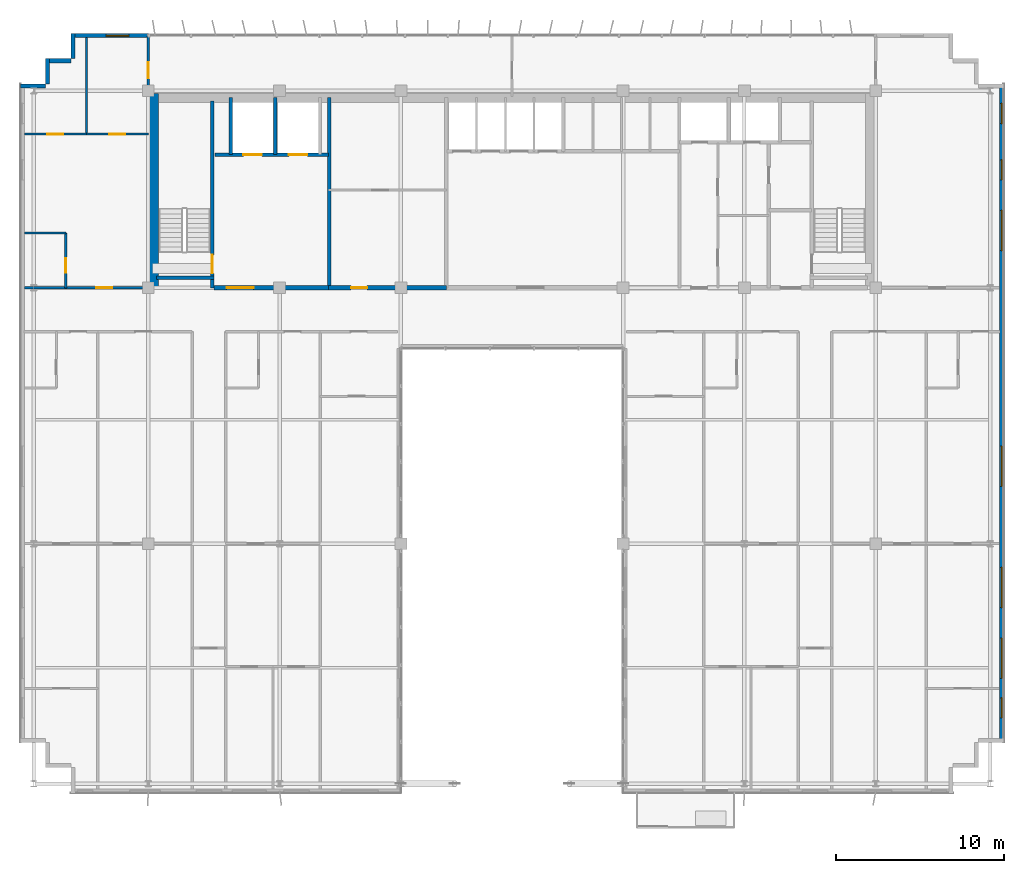
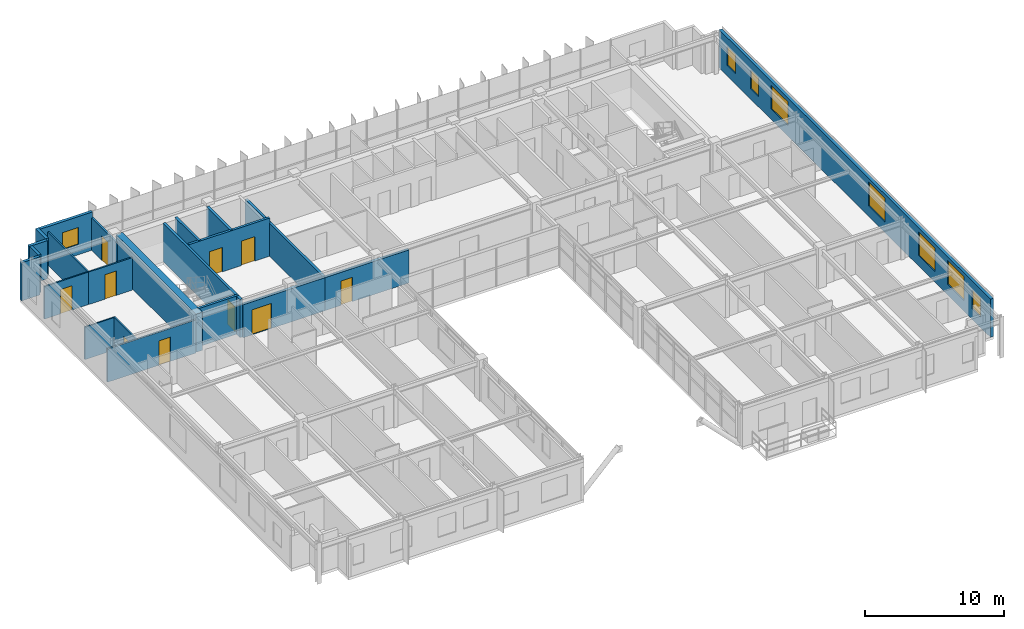
# One storey, part 30 of 34: 22 walls, 10 doors, 8 windows, 18 openings.
"""IFC4 building model written with IfcOpenShell, lengths in metres."""

from ifc_helpers import new_model, si_unit, direction, frame, frame_2d, origin, place, context, subcontext, project, spatial, rectangle, extrude, source, transform, mapped, material, layer, layer_set, type_object, element, fill, save


model = new_model("IFC4")

# Units and contexts
model_context = context("Model", 3, precision=1e-05, world=origin(), true_north=direction((0.0, 1.0)))
body_context = subcontext(model_context, "Body", "Model", "MODEL_VIEW")
ifc_project = project(units=[si_unit("LENGTHUNIT", "METRE"), si_unit("AREAUNIT", "SQUARE_METRE"), si_unit("VOLUMEUNIT", "CUBIC_METRE"), si_unit("PLANEANGLEUNIT", "RADIAN"), si_unit("MASSUNIT", "GRAM", prefix="KILO")], contexts=[model_context])

# Site, building, storey
site_placement = place(None, origin())
site = spatial("IfcSite", under=ifc_project, at=site_placement, CompositionType="ELEMENT")
building_placement = place(site_placement, origin())
building = spatial("IfcBuilding", under=site, at=building_placement, Name="Trelvane Seafront Commons", CompositionType="ELEMENT")
storey_placement = place(building_placement, frame((0.0, 0.0, 197.699951171875)))
storey = spatial("IfcBuildingStorey", under=building, at=storey_placement, Name="L51", CompositionType="ELEMENT", Elevation=197.699951171875)

# Wall, opening, window
ifc_material_1 = material(Name="Precast concrete C40/50", Category="concrete")
ifc_layer_1 = layer(ifc_material_1, 0.239990234375, Name="ARCH-WALL-EXT240")
ifc_layer_set_1 = layer_set([ifc_layer_1], Name="Precast concrete C40/50")
wall_type_1 = type_object("IfcWallType", Name="ARCH-WALL-EXT240", PredefinedType="SOLIDWALL", material=ifc_layer_set_1)
wall_1_placement = place(storey_placement, frame((11.10009765625, 48.3701171875, 0.0), z_axis=(0.0, 0.0, 1.0), x_axis=(1.0, 0.0, 0.0)))
wall_1 = element("IfcWall", 1, at=wall_1_placement, inside=storey, type_object=wall_type_1, Name="EW-L51-NW-1007", PredefinedType="SOLIDWALL", context=body_context, shape_type="SweptSolid", body=[
    extrude(rectangle(XDim=4.5, YDim=0.239990234375, at=frame_2d((2.25, 0.0))), origin(), (0.0, 0.0, 1.0), 3.360107421875),
])
opening_1_placement = place(wall_1_placement, frame((2.0029296875, 0.0, 0.89990234375)))
opening_1 = element("IfcOpeningElement", 2, at=opening_1_placement, cuts=wall_1, Name="Opening W09", PredefinedType="OPENING", context=body_context, shape_type="SweptSolid", body=[
    extrude(rectangle(XDim=1.35009765625, YDim=1.5, at=frame_2d((0.675048828125, 0.75))), frame((0.0, 0.1298828125, 0.0), z_axis=(0.0, -1.0, 0.0), x_axis=(1.0, 0.0, 0.0)), (0.0, 0.0, 1.0), 0.260009765625),
])
ifc_material_2 = material(Name="Low-E coastal double glazing", Category="glass")
window_type_1 = type_object("IfcWindowType", Name="ARCH-WIN-W09", PartitioningType="SINGLE_PANEL", PredefinedType="WINDOW", material=ifc_material_2)
shared_shape_1 = source(origin(), body_context, "Body", "SweptSolid", [
    extrude(rectangle(XDim=1.35009765625, YDim=1.5, at=frame_2d((0.675048828125, 0.75))), frame((0.0, 0.030029296875, 0.0), z_axis=(0.0, -1.0, 0.0), x_axis=(1.0, 0.0, 0.0)), (0.0, 0.0, 1.0), 0.06005859375),
])
window_1_placement = place(opening_1_placement, origin())
window_1 = element("IfcWindow", 3, at=window_1_placement, inside=storey, type_object=window_type_1, Name="WIN-L51-01201", OverallHeight=1.5, OverallWidth=1.35009765625, PartitioningType="SINGLE_PANEL", PredefinedType="WINDOW", context=body_context, shape_type="MappedRepresentation", body=[
    mapped(shared_shape_1, transform((0.0, 0.0, 0.0), x_axis=(1.0, 0.0, 0.0), y_axis=(0.0, 1.0, 0.0), z_axis=(0.0, 0.0, 1.0), scale=1.0)),
])
fill(opening_1, window_1)

# Walls
for number, where, z_axis, x_axis, name in (
    (4, (8.0, 45.3798828125, 0.0), (0.0, 0.0, 1.0), (1.0, 0.0, 0.0), "EW-L51-01013"),
    (5, (9.6201171875, 45.5, 0.0), (0.0, 0.0, 1.0), (0.0, 1.0, 0.0), "EW-L51-01014"),
    (6, (9.5, 46.8798828125, 0.0), (0.0, 0.0, 1.0), (1.0, 0.0, 0.0), "EW-L51-01015"),
    (7, (11.1201171875, 47.0, 0.0), (0.0, 0.0, 1.0), (0.0, 1.0, 0.0), "EW-L51-01016"),
):
    element("IfcWall", number, at=place(storey_placement, frame(where, z_axis=z_axis, x_axis=x_axis)), inside=storey, type_object=wall_type_1, Name=name, PredefinedType="SOLIDWALL", context=body_context, shape_type="SweptSolid", body=[
        extrude(rectangle(XDim=1.5, YDim=0.239990234375, at=frame_2d((0.75, 0.0))), origin(), (0.0, 0.0, 1.0), 3.360107421875),
    ])

# Wall, openings, windows
wall_2_placement = place(storey_placement, frame((66.280029296875, 45.5, 0.0), z_axis=(0.0, 0.0, 1.0), x_axis=(0.0, -1.0, 0.0)))
wall_2 = element("IfcWall", 8, at=wall_2_placement, inside=storey, type_object=wall_type_1, Name="EW-L51-01021", PredefinedType="SOLIDWALL", context=body_context, shape_type="SweptSolid", body=[
    extrude(rectangle(XDim=39.10009765625, YDim=0.239990234375, at=frame_2d((19.550048828125, 0.0))), origin(), (0.0, 0.0, 1.0), 3.360107421875),
])
opening_2_placement = place(wall_2_placement, frame((36.449951171875, 0.0, 0.919921875)))
opening_2 = element("IfcOpeningElement", 9, at=opening_2_placement, cuts=wall_2, Name="Opening W05", PredefinedType="OPENING", context=body_context, shape_type="SweptSolid", body=[
    extrude(rectangle(XDim=1.199951171875, YDim=1.64990234375, at=frame_2d((0.60009765625, 0.824951171875))), frame((0.0, 0.1298828125, 0.0), z_axis=(0.0, -1.0, 0.0), x_axis=(1.0, 0.0, 0.0)), (0.0, 0.0, 1.0), 0.260009765625),
])
opening_3_placement = place(wall_2_placement, frame((32.89990234375, 0.0, 0.919921875)))
opening_3 = element("IfcOpeningElement", 10, at=opening_3_placement, cuts=wall_2, Name="Opening W08", PredefinedType="OPENING", context=body_context, shape_type="SweptSolid", body=[
    extrude(rectangle(XDim=2.39990234375, YDim=2.10009765625, at=frame_2d((1.199951171875, 1.050048828125))), frame((0.0, 0.1298828125, 0.0), z_axis=(0.0, -1.0, 0.0), x_axis=(1.0, 0.0, 0.0)), (0.0, 0.0, 1.0), 0.260009765625),
])
opening_4_placement = place(wall_2_placement, frame((28.699951171875, 0.0, 0.919921875)))
opening_4 = element("IfcOpeningElement", 11, at=opening_4_placement, cuts=wall_2, Name="Opening W08", PredefinedType="OPENING", context=body_context, shape_type="SweptSolid", body=[
    extrude(rectangle(XDim=2.39990234375, YDim=2.10009765625, at=frame_2d((1.199951171875, 1.050048828125))), frame((0.0, 0.1298828125, 0.0), z_axis=(0.0, -1.0, 0.0), x_axis=(1.0, 0.0, 0.0)), (0.0, 0.0, 1.0), 0.260009765625),
])
opening_5_placement = place(wall_2_placement, frame((21.5, 0.0, 0.919921875)))
opening_5 = element("IfcOpeningElement", 12, at=opening_5_placement, cuts=wall_2, Name="Opening W08", PredefinedType="OPENING", context=body_context, shape_type="SweptSolid", body=[
    extrude(rectangle(XDim=2.39990234375, YDim=2.10009765625, at=frame_2d((1.199951171875, 1.050048828125))), frame((0.0, 0.1298828125, 0.0), z_axis=(0.0, -1.0, 0.0), x_axis=(1.0, 0.0, 0.0)), (0.0, 0.0, 1.0), 0.260009765625),
])
opening_6_placement = place(wall_2_placement, frame((7.5, 0.0, 0.919921875)))
opening_6 = element("IfcOpeningElement", 13, at=opening_6_placement, cuts=wall_2, Name="Opening W08", PredefinedType="OPENING", context=body_context, shape_type="SweptSolid", body=[
    extrude(rectangle(XDim=2.39990234375, YDim=2.10009765625, at=frame_2d((1.199951171875, 1.050048828125))), frame((0.0, 0.1298828125, 0.0), z_axis=(0.0, -1.0, 0.0), x_axis=(1.0, 0.0, 0.0)), (0.0, 0.0, 1.0), 0.260009765625),
])
opening_7_placement = place(wall_2_placement, frame((4.5, 0.0, 0.919921875)))
opening_7 = element("IfcOpeningElement", 14, at=opening_7_placement, cuts=wall_2, Name="Opening W05", PredefinedType="OPENING", context=body_context, shape_type="SweptSolid", body=[
    extrude(rectangle(XDim=1.199951171875, YDim=1.64990234375, at=frame_2d((0.60009765625, 0.824951171875))), frame((0.0, 0.1298828125, 0.0), z_axis=(0.0, -1.0, 0.0), x_axis=(1.0, 0.0, 0.0)), (0.0, 0.0, 1.0), 0.260009765625),
])
opening_8_placement = place(wall_2_placement, frame((1.14990234375, 0.0, 0.919921875)))
opening_8 = element("IfcOpeningElement", 15, at=opening_8_placement, cuts=wall_2, Name="Opening W05", PredefinedType="OPENING", context=body_context, shape_type="SweptSolid", body=[
    extrude(rectangle(XDim=1.199951171875, YDim=1.64990234375, at=frame_2d((0.60009765625, 0.824951171875))), frame((0.0, 0.1298828125, 0.0), z_axis=(0.0, -1.0, 0.0), x_axis=(1.0, 0.0, 0.0)), (0.0, 0.0, 1.0), 0.260009765625),
])
window_type_2 = type_object("IfcWindowType", Name="ARCH-WIN-W08", PartitioningType="SINGLE_PANEL", PredefinedType="WINDOW", material=ifc_material_2)
shared_shape_2 = source(origin(), body_context, "Body", "SweptSolid", [
    extrude(rectangle(XDim=2.39990234375, YDim=2.10009765625, at=frame_2d((1.199951171875, 1.050048828125))), frame((0.0, 0.030029296875, 0.0), z_axis=(0.0, -1.0, 0.0), x_axis=(1.0, 0.0, 0.0)), (0.0, 0.0, 1.0), 0.06005859375),
])
window_2_placement = place(opening_3_placement, origin())
window_2 = element("IfcWindow", 16, at=window_2_placement, inside=storey, type_object=window_type_2, Name="WIN-L51-EW-01210", OverallHeight=2.10009765625, OverallWidth=2.39990234375, PartitioningType="SINGLE_PANEL", PredefinedType="WINDOW", context=body_context, shape_type="MappedRepresentation", body=[
    mapped(shared_shape_2, transform((0.0, 0.0, 0.0), x_axis=(1.0, 0.0, 0.0), y_axis=(0.0, 1.0, 0.0), z_axis=(0.0, 0.0, 1.0), scale=1.0)),
])
fill(opening_3, window_2)
window_3_placement = place(opening_4_placement, origin())
window_3 = element("IfcWindow", 17, at=window_3_placement, inside=storey, type_object=window_type_2, Name="WIN-L51-EW-01211", OverallHeight=2.10009765625, OverallWidth=2.39990234375, PartitioningType="SINGLE_PANEL", PredefinedType="WINDOW", context=body_context, shape_type="MappedRepresentation", body=[
    mapped(shared_shape_2, transform((0.0, 0.0, 0.0), x_axis=(1.0, 0.0, 0.0), y_axis=(0.0, 1.0, 0.0), z_axis=(0.0, 0.0, 1.0), scale=1.0)),
])
fill(opening_4, window_3)
window_4_placement = place(opening_5_placement, origin())
window_4 = element("IfcWindow", 18, at=window_4_placement, inside=storey, type_object=window_type_2, Name="WIN-L51-EW-01212", OverallHeight=2.10009765625, OverallWidth=2.39990234375, PartitioningType="SINGLE_PANEL", PredefinedType="WINDOW", context=body_context, shape_type="MappedRepresentation", body=[
    mapped(shared_shape_2, transform((0.0, 0.0, 0.0), x_axis=(1.0, 0.0, 0.0), y_axis=(0.0, 1.0, 0.0), z_axis=(0.0, 0.0, 1.0), scale=1.0)),
])
fill(opening_5, window_4)
window_5_placement = place(opening_6_placement, origin())
window_5 = element("IfcWindow", 19, at=window_5_placement, inside=storey, type_object=window_type_2, Name="WIN-L51-EW-01213", OverallHeight=2.10009765625, OverallWidth=2.39990234375, PartitioningType="SINGLE_PANEL", PredefinedType="WINDOW", context=body_context, shape_type="MappedRepresentation", body=[
    mapped(shared_shape_2, transform((0.0, 0.0, 0.0), x_axis=(1.0, 0.0, 0.0), y_axis=(0.0, 1.0, 0.0), z_axis=(0.0, 0.0, 1.0), scale=1.0)),
])
fill(opening_6, window_5)
window_type_3 = type_object("IfcWindowType", Name="ARCH-WIN-W05", PartitioningType="SINGLE_PANEL", PredefinedType="WINDOW", material=ifc_material_2)
shared_shape_3 = source(origin(), body_context, "Body", "SweptSolid", [
    extrude(rectangle(XDim=1.199951171875, YDim=1.64990234375, at=frame_2d((0.60009765625, 0.824951171875))), frame((0.0, 0.030029296875, 0.0), z_axis=(0.0, -1.0, 0.0), x_axis=(1.0, 0.0, 0.0)), (0.0, 0.0, 1.0), 0.06005859375),
])
window_6_placement = place(opening_2_placement, origin())
window_6 = element("IfcWindow", 20, at=window_6_placement, inside=storey, type_object=window_type_3, Name="WIN-L51-EW-01209", OverallHeight=1.64990234375, OverallWidth=1.199951171875, PartitioningType="SINGLE_PANEL", PredefinedType="WINDOW", context=body_context, shape_type="MappedRepresentation", body=[
    mapped(shared_shape_3, transform((0.0, 0.0, 0.0), x_axis=(1.0, 0.0, 0.0), y_axis=(0.0, 1.0, 0.0), z_axis=(0.0, 0.0, 1.0), scale=1.0)),
])
fill(opening_2, window_6)
window_7_placement = place(opening_7_placement, origin())
window_7 = element("IfcWindow", 21, at=window_7_placement, inside=storey, type_object=window_type_3, Name="WIN-L51-EW-01214", OverallHeight=1.64990234375, OverallWidth=1.199951171875, PartitioningType="SINGLE_PANEL", PredefinedType="WINDOW", context=body_context, shape_type="MappedRepresentation", body=[
    mapped(shared_shape_3, transform((0.0, 0.0, 0.0), x_axis=(1.0, 0.0, 0.0), y_axis=(0.0, 1.0, 0.0), z_axis=(0.0, 0.0, 1.0), scale=1.0)),
])
fill(opening_7, window_7)
window_8_placement = place(opening_8_placement, origin())
window_8 = element("IfcWindow", 22, at=window_8_placement, inside=storey, type_object=window_type_3, Name="WIN-L51-EW-01215", OverallHeight=1.64990234375, OverallWidth=1.199951171875, PartitioningType="SINGLE_PANEL", PredefinedType="WINDOW", context=body_context, shape_type="MappedRepresentation", body=[
    mapped(shared_shape_3, transform((0.0, 0.0, 0.0), x_axis=(1.0, 0.0, 0.0), y_axis=(0.0, 1.0, 0.0), z_axis=(0.0, 0.0, 1.0), scale=1.0)),
])
fill(opening_8, window_8)

# Wall, opening, door
ifc_material_3 = material(Name="Concrete C40/50", Category="concrete")
ifc_layer_2 = layer(ifc_material_3, 0.25, Name="ARCH-WALL-FIRE250")
ifc_layer_set_2 = layer_set([ifc_layer_2], Name="Concrete C40/50")
wall_type_2 = type_object("IfcWallType", Name="ARCH-WALL-FIRE250", PredefinedType="PARTITIONING", material=ifc_layer_set_2)
wall_3_placement = place(storey_placement, frame((19.5, 33.39990234375, 0.0), z_axis=(0.0, 0.0, 1.0), x_axis=(1.0, 0.0, 0.0)))
wall_3 = element("IfcWall", 23, at=wall_3_placement, inside=storey, type_object=wall_type_2, Name="W-L51-CS-FFL-013", PredefinedType="PARTITIONING", context=body_context, shape_type="SweptSolid", body=[
    extrude(rectangle(XDim=6.800048828125, YDim=0.25, at=frame_2d((3.39990234375, 0.0))), origin(), (0.0, 0.0, 1.0), 2.91015625),
])
opening_9_placement = place(wall_3_placement, frame((0.75, 0.0, 0.0)))
opening_9 = element("IfcOpeningElement", 24, at=opening_9_placement, cuts=wall_3, Name="Opening FD-L51-05", PredefinedType="OPENING", context=body_context, shape_type="SweptSolid", body=[
    extrude(rectangle(XDim=1.60009765625, YDim=2.199951171875, at=frame_2d((0.800048828125, 1.10009765625))), frame((0.0, 0.135009765625, 0.0), z_axis=(0.0, -1.0, 0.0), x_axis=(1.0, 0.0, 0.0)), (0.0, 0.0, 1.0), 0.27001953125),
])
ifc_material_4 = material(Name="Powder-coated aluminium frame", Category="aluminium")
door_type_1 = type_object("IfcDoorType", Name="ARCH-DR-FD60-1600", OperationType="DOUBLE_DOOR_SINGLE_SWING", PredefinedType="DOOR", material=ifc_material_4)
shared_shape_4 = source(origin(), body_context, "Body", "SweptSolid", [
    extrude(rectangle(XDim=1.60009765625, YDim=2.199951171875, at=frame_2d((0.800048828125, 1.10009765625))), frame((0.0, 0.02490234375, 0.0), z_axis=(0.0, -1.0, 0.0), x_axis=(1.0, 0.0, 0.0)), (0.0, 0.0, 1.0), 0.050048828125),
])
door_1_placement = place(opening_9_placement, origin())
door_1 = element("IfcDoor", 25, at=door_1_placement, inside=storey, type_object=door_type_1, Name="L51 Firefighting Lift Lobby Double Fire Door", OperationType="DOUBLE_DOOR_SINGLE_SWING", OverallHeight=2.199951171875, OverallWidth=1.60009765625, PredefinedType="DOOR", context=body_context, shape_type="MappedRepresentation", body=[
    mapped(shared_shape_4, transform((0.0, 0.0, 0.0), x_axis=(1.0, 0.0, 0.0), y_axis=(0.0, 1.0, 0.0), z_axis=(0.0, 0.0, 1.0), scale=1.0)),
])
fill(opening_9, door_1)

wall_4_placement = place(storey_placement, frame((26.300048828125, 33.39990234375, 0.0), z_axis=(0.0, 0.0, 1.0), x_axis=(1.0, 0.0, 0.0)))
wall_4 = element("IfcWall", 26, at=wall_4_placement, inside=storey, type_object=wall_type_2, Name="W-L51-CS-FPL-026", PredefinedType="PARTITIONING", context=body_context, shape_type="SweptSolid", body=[
    extrude(rectangle(XDim=7.0, YDim=0.25, at=frame_2d((3.5, 0.0))), origin(), (0.0, 0.0, 1.0), 2.91015625),
])
opening_10_placement = place(wall_4_placement, frame((1.35009765625, 0.0, 0.0)))
opening_10 = element("IfcOpeningElement", 27, at=opening_10_placement, cuts=wall_4, Name="Opening D-L51-11", PredefinedType="OPENING", context=body_context, shape_type="SweptSolid", body=[
    extrude(rectangle(XDim=0.949951171875, YDim=2.14990234375, at=frame_2d((0.47509765625, 1.074951171875))), frame((0.0, 0.135009765625, 0.0), z_axis=(0.0, -1.0, 0.0), x_axis=(1.0, 0.0, 0.0)), (0.0, 0.0, 1.0), 0.27001953125),
])
ifc_material_5 = material(Name="Acoustic timber door leaf", Category="wood")
door_type_2 = type_object("IfcDoorType", Name="ARCH-DR-INT950", OperationType="NOTDEFINED", PredefinedType="DOOR", material=ifc_material_5)
shared_shape_5 = source(origin(), body_context, "Body", "SweptSolid", [
    extrude(rectangle(XDim=0.949951171875, YDim=2.14990234375, at=frame_2d((0.47509765625, 1.074951171875))), frame((0.0, 0.02490234375, 0.0), z_axis=(0.0, -1.0, 0.0), x_axis=(1.0, 0.0, 0.0)), (0.0, 0.0, 1.0), 0.050048828125),
])
door_2_placement = place(opening_10_placement, origin())
door_2 = element("IfcDoor", 28, at=door_2_placement, inside=storey, type_object=door_type_2, Name="L51 Floor Pantry Entrance Door", OperationType="SINGLE_SWING_LEFT", OverallHeight=2.14990234375, OverallWidth=0.949951171875, PredefinedType="DOOR", context=body_context, shape_type="MappedRepresentation", body=[
    mapped(shared_shape_5, transform((0.0, 0.0, 0.0), x_axis=(1.0, 0.0, 0.0), y_axis=(0.0, 1.0, 0.0), z_axis=(0.0, 0.0, 1.0), scale=1.0)),
])
fill(opening_10, door_2)

ifc_material_6 = material(Name="Gypsum Drywall Acoustic Partition")
ifc_layer_3 = layer(ifc_material_6, 0.1201171875, Name="ARCH-WALL-PART120")
ifc_layer_set_3 = layer_set([ifc_layer_3], Name="Gypsum Drywall Acoustic Partition")
wall_type_3 = type_object("IfcWallType", Name="ARCH-WALL-PART120", PredefinedType="PARTITIONING", material=ifc_layer_set_3)
wall_5_placement = place(storey_placement, frame((10.699951171875, 33.39990234375, 0.0), z_axis=(0.0, 0.0, 1.0), x_axis=(0.0, 1.0, 0.0)))
wall_5 = element("IfcWall", 29, at=wall_5_placement, inside=storey, type_object=wall_type_3, Name="W-L51-NW-BE-036", PredefinedType="PARTITIONING", context=body_context, shape_type="SweptSolid", body=[
    extrude(rectangle(XDim=3.25, YDim=0.1201171875, at=frame_2d((1.625, 0.0))), origin(), (0.0, 0.0, 1.0), 2.91015625),
])
opening_11_placement = place(wall_5_placement, frame((0.89990234375, 0.0, 0.0)))
opening_11 = element("IfcOpeningElement", 30, at=opening_11_placement, cuts=wall_5, Name="Opening D-L51-20", PredefinedType="OPENING", context=body_context, shape_type="SweptSolid", body=[
    extrude(rectangle(XDim=0.85009765625, YDim=2.10009765625, at=frame_2d((0.425048828125, 1.050048828125))), frame((0.0, 0.070068359375, 0.0), z_axis=(0.0, -1.0, 0.0), x_axis=(1.0, 0.0, 0.0)), (0.0, 0.0, 1.0), 0.14013671875),
])
door_type_3 = type_object("IfcDoorType", Name="ARCH-DR-INT850", OperationType="NOTDEFINED", PredefinedType="DOOR", material=ifc_material_5)
shared_shape_6 = source(origin(), body_context, "Body", "SweptSolid", [
    extrude(rectangle(XDim=0.85009765625, YDim=2.10009765625, at=frame_2d((0.425048828125, 1.050048828125))), frame((0.0, 0.02490234375, 0.0), z_axis=(0.0, -1.0, 0.0), x_axis=(1.0, 0.0, 0.0)), (0.0, 0.0, 1.0), 0.050048828125),
])
door_3_placement = place(opening_11_placement, origin())
door_3 = element("IfcDoor", 31, at=door_3_placement, inside=storey, type_object=door_type_3, Name="L51 Door 20", OperationType="SINGLE_SWING_RIGHT", OverallHeight=2.10009765625, OverallWidth=0.85009765625, PredefinedType="DOOR", context=body_context, shape_type="MappedRepresentation", body=[
    mapped(shared_shape_6, transform((0.0, 0.0, 0.0), x_axis=(1.0, 0.0, 0.0), y_axis=(0.0, 1.0, 0.0), z_axis=(0.0, 0.0, 1.0), scale=1.0)),
])
fill(opening_11, door_3)

# Wall
wall_6_placement = place(storey_placement, frame((8.25, 36.64990234375, 0.0), z_axis=(0.0, 0.0, 1.0), x_axis=(1.0, 0.0, 0.0)))
element("IfcWall", 32, at=wall_6_placement, inside=storey, type_object=wall_type_3, Name="W-L51-NW-BN-037", PredefinedType="PARTITIONING", context=body_context, shape_type="SweptSolid", body=[
    extrude(rectangle(XDim=2.449951171875, YDim=0.1201171875, at=frame_2d((1.22509765625, 0.0))), origin(), (0.0, 0.0, 1.0), 2.860107421875),
])

# Wall, opening, door
wall_7_placement = place(storey_placement, frame((8.25, 42.52001953125, 0.0), z_axis=(0.0, 0.0, 1.0), x_axis=(1.0, 0.0, 0.0)))
wall_7 = element("IfcWall", 33, at=wall_7_placement, inside=storey, type_object=wall_type_3, Name="W-L51-NW-KB1-038", PredefinedType="PARTITIONING", context=body_context, shape_type="SweptSolid", body=[
    extrude(rectangle(XDim=3.675048828125, YDim=0.1201171875, at=frame_2d((1.83740234375, 0.0))), origin(), (0.0, 0.0, 1.0), 2.860107421875),
])
opening_12_placement = place(wall_7_placement, frame((1.363037109375, 0.0, 0.0)))
opening_12 = element("IfcOpeningElement", 34, at=opening_12_placement, cuts=wall_7, Name="Opening D-L51-21", PredefinedType="OPENING", context=body_context, shape_type="SweptSolid", body=[
    extrude(rectangle(XDim=0.949951171875, YDim=2.14990234375, at=frame_2d((0.47509765625, 1.074951171875))), frame((0.0, 0.070068359375, 0.0), z_axis=(0.0, -1.0, 0.0), x_axis=(1.0, 0.0, 0.0)), (0.0, 0.0, 1.0), 0.14013671875),
])
door_4_placement = place(opening_12_placement, origin())
door_4 = element("IfcDoor", 35, at=door_4_placement, inside=storey, type_object=door_type_2, Name="L51 Door 21", OperationType="SINGLE_SWING_LEFT", OverallHeight=2.14990234375, OverallWidth=0.949951171875, PredefinedType="DOOR", context=body_context, shape_type="MappedRepresentation", body=[
    mapped(shared_shape_5, transform((0.0, 0.0, 0.0), x_axis=(1.0, 0.0, 0.0), y_axis=(0.0, 1.0, 0.0), z_axis=(0.0, 0.0, 1.0), scale=1.0)),
])
fill(opening_12, door_4)

wall_8_placement = place(storey_placement, frame((11.925048828125, 42.52001953125, 0.0), z_axis=(0.0, 0.0, 1.0), x_axis=(1.0, 0.0, 0.0)))
wall_8 = element("IfcWall", 36, at=wall_8_placement, inside=storey, type_object=wall_type_3, Name="W-L51-NW-KB2-039", PredefinedType="PARTITIONING", context=body_context, shape_type="SweptSolid", body=[
    extrude(rectangle(XDim=3.675048828125, YDim=0.1201171875, at=frame_2d((1.83740234375, 0.0))), origin(), (0.0, 0.0, 1.0), 2.860107421875),
])
opening_13_placement = place(wall_8_placement, frame((1.362060546875, 0.0, 0.0)))
opening_13 = element("IfcOpeningElement", 37, at=opening_13_placement, cuts=wall_8, Name="Opening D-L51-22", PredefinedType="OPENING", context=body_context, shape_type="SweptSolid", body=[
    extrude(rectangle(XDim=0.949951171875, YDim=2.14990234375, at=frame_2d((0.47509765625, 1.074951171875))), frame((0.0, 0.070068359375, 0.0), z_axis=(0.0, -1.0, 0.0), x_axis=(1.0, 0.0, 0.0)), (0.0, 0.0, 1.0), 0.14013671875),
])
door_5_placement = place(opening_13_placement, origin())
door_5 = element("IfcDoor", 38, at=door_5_placement, inside=storey, type_object=door_type_2, Name="L51 Door 22", OperationType="SINGLE_SWING_RIGHT", OverallHeight=2.14990234375, OverallWidth=0.949951171875, PredefinedType="DOOR", context=body_context, shape_type="MappedRepresentation", body=[
    mapped(shared_shape_5, transform((0.0, 0.0, 0.0), x_axis=(1.0, 0.0, 0.0), y_axis=(0.0, 1.0, 0.0), z_axis=(0.0, 0.0, 1.0), scale=1.0)),
])
fill(opening_13, door_5)

# Wall
wall_9_placement = place(storey_placement, frame((11.925048828125, 42.52001953125, 0.0), z_axis=(0.0, 0.0, 1.0), x_axis=(0.0, 1.0, 0.0)))
element("IfcWall", 39, at=wall_9_placement, inside=storey, type_object=wall_type_3, Name="W-L51-NW-KBDV-040", PredefinedType="PARTITIONING", context=body_context, shape_type="SweptSolid", body=[
    extrude(rectangle(XDim=5.739990234375, YDim=0.1201171875, at=frame_2d((2.8701171875, 0.0))), origin(), (0.0, 0.0, 1.0), 2.91015625),
])

# Wall, opening, door
ifc_layer_4 = layer(ifc_material_6, 0.14990234375, Name="ARCH-WALL-PART150")
ifc_layer_set_4 = layer_set([ifc_layer_4], Name="Gypsum Drywall Acoustic Partition")
wall_type_4 = type_object("IfcWallType", Name="ARCH-WALL-PART150", PredefinedType="PARTITIONING", material=ifc_layer_set_4)
wall_10_placement = place(storey_placement, frame((8.25, 33.39990234375, 0.0), z_axis=(0.0, 0.0, 1.0), x_axis=(1.0, 0.0, 0.0)))
wall_10 = element("IfcWall", 40, at=wall_10_placement, inside=storey, type_object=wall_type_4, Name="W-L51-NW-ENT-041", PredefinedType="PARTITIONING", context=body_context, shape_type="SweptSolid", body=[
    extrude(rectangle(XDim=7.35009765625, YDim=0.14990234375, at=frame_2d((3.675048828125, 0.0))), origin(), (0.0, 0.0, 1.0), 2.91015625),
])
opening_14_placement = place(wall_10_placement, frame((4.27490234375, 0.0, 0.0)))
opening_14 = element("IfcOpeningElement", 41, at=opening_14_placement, cuts=wall_10, Name="Opening FD-L51-23", PredefinedType="OPENING", context=body_context, shape_type="SweptSolid", body=[
    extrude(rectangle(XDim=0.949951171875, YDim=2.14990234375, at=frame_2d((0.47509765625, 1.074951171875))), frame((0.0, 0.0849609375, 0.0), z_axis=(0.0, -1.0, 0.0), x_axis=(1.0, 0.0, 0.0)), (0.0, 0.0, 1.0), 0.169921875),
])
door_type_4 = type_object("IfcDoorType", Name="ARCH-DR-FD60-950", OperationType="NOTDEFINED", PredefinedType="DOOR", material=ifc_material_4)
door_6_placement = place(opening_14_placement, origin())
door_6 = element("IfcDoor", 42, at=door_6_placement, inside=storey, type_object=door_type_4, Name="L51 NW Flat Entrance Door", OperationType="SINGLE_SWING_LEFT", OverallHeight=2.14990234375, OverallWidth=0.949951171875, PredefinedType="DOOR", context=body_context, shape_type="MappedRepresentation", body=[
    mapped(shared_shape_5, transform((0.0, 0.0, 0.0), x_axis=(1.0, 0.0, 0.0), y_axis=(0.0, 1.0, 0.0), z_axis=(0.0, 0.0, 1.0), scale=1.0)),
])
fill(opening_14, door_6)

wall_11_placement = place(storey_placement, frame((15.60009765625, 44.75, 0.0), z_axis=(0.0, 0.0, 1.0), x_axis=(0.0, 1.0, 0.0)))
wall_11 = element("IfcWall", 43, at=wall_11_placement, inside=storey, type_object=wall_type_4, Name="W-L51-N-LINK-W-044", PredefinedType="PARTITIONING", context=body_context, shape_type="SweptSolid", body=[
    extrude(rectangle(XDim=3.610107421875, YDim=0.14990234375, at=frame_2d((1.80517578125, 0.0))), origin(), (0.0, 0.0, 1.0), 2.860107421875),
])
opening_15_placement = place(wall_11_placement, frame((1.10009765625, 0.0, 0.0)))
opening_15 = element("IfcOpeningElement", 44, at=opening_15_placement, cuts=wall_11, Name="Opening FD-L51-26", PredefinedType="OPENING", context=body_context, shape_type="SweptSolid", body=[
    extrude(rectangle(XDim=0.949951171875, YDim=2.14990234375, at=frame_2d((0.47509765625, 1.074951171875))), frame((0.0, 0.0849609375, 0.0), z_axis=(0.0, -1.0, 0.0), x_axis=(1.0, 0.0, 0.0)), (0.0, 0.0, 1.0), 0.169921875),
])
door_7_placement = place(opening_15_placement, origin())
door_7 = element("IfcDoor", 45, at=door_7_placement, inside=storey, type_object=door_type_4, Name="L51 Door 26", OperationType="SINGLE_SWING_RIGHT", OverallHeight=2.14990234375, OverallWidth=0.949951171875, PredefinedType="DOOR", context=body_context, shape_type="MappedRepresentation", body=[
    mapped(shared_shape_5, transform((0.0, 0.0, 0.0), x_axis=(1.0, 0.0, 0.0), y_axis=(0.0, 1.0, 0.0), z_axis=(0.0, 0.0, 1.0), scale=1.0)),
])
fill(opening_15, door_7)

# Wall, openings, doors
ifc_layer_5 = layer(ifc_material_3, 0.199951171875, Name="ARCH-WALL-SHAFT200")
ifc_layer_set_5 = layer_set([ifc_layer_5], Name="Concrete C40/50")
wall_type_5 = type_object("IfcWallType", Name="ARCH-WALL-SHAFT200", PredefinedType="SOLIDWALL", material=ifc_layer_set_5)
wall_12_placement = place(storey_placement, frame((19.550048828125, 41.300048828125, 0.0), z_axis=(0.0, 0.0, 1.0), x_axis=(1.0, 0.0, 0.0)))
wall_12 = element("IfcWall", 46, at=wall_12_placement, inside=storey, type_object=wall_type_5, Name="W-L51-FFL-FRONT-008", PredefinedType="SOLIDWALL", context=body_context, shape_type="SweptSolid", body=[
    extrude(rectangle(XDim=6.75, YDim=0.199951171875, at=frame_2d((3.375, 0.0))), origin(), (0.0, 0.0, 1.0), 3.360107421875),
])
opening_16_placement = place(wall_12_placement, frame((1.699951171875, 0.0, 0.0)))
opening_16 = element("IfcOpeningElement", 47, at=opening_16_placement, cuts=wall_12, Name="Opening LD-FF1-L51", PredefinedType="OPENING", context=body_context, shape_type="SweptSolid", body=[
    extrude(rectangle(XDim=1.10009765625, YDim=2.14990234375, at=frame_2d((0.550048828125, 1.074951171875))), frame((0.0, 0.10986328125, 0.0), z_axis=(0.0, -1.0, 0.0), x_axis=(1.0, 0.0, 0.0)), (0.0, 0.0, 1.0), 0.219970703125),
])
opening_17_placement = place(wall_12_placement, frame((4.39990234375, 0.0, 0.0)))
opening_17 = element("IfcOpeningElement", 48, at=opening_17_placement, cuts=wall_12, Name="Opening LD-FF2-L51", PredefinedType="OPENING", context=body_context, shape_type="SweptSolid", body=[
    extrude(rectangle(XDim=1.10009765625, YDim=2.14990234375, at=frame_2d((0.550048828125, 1.074951171875))), frame((0.0, 0.10986328125, 0.0), z_axis=(0.0, -1.0, 0.0), x_axis=(1.0, 0.0, 0.0)), (0.0, 0.0, 1.0), 0.219970703125),
])
ifc_material_7 = material(Name="Stainless steel balustrade", Category="steel")
door_type_5 = type_object("IfcDoorType", Name="ARCH-DR-LD1100", OperationType="DOUBLE_DOOR_SLIDING", PredefinedType="DOOR", material=ifc_material_7)
shared_shape_7 = source(origin(), body_context, "Body", "SweptSolid", [
    extrude(rectangle(XDim=1.10009765625, YDim=2.14990234375, at=frame_2d((0.550048828125, 1.074951171875))), frame((0.0, 0.02490234375, 0.0), z_axis=(0.0, -1.0, 0.0), x_axis=(1.0, 0.0, 0.0)), (0.0, 0.0, 1.0), 0.050048828125),
])
door_8_placement = place(opening_16_placement, origin())
door_8 = element("IfcDoor", 49, at=door_8_placement, inside=storey, type_object=door_type_5, Name="L51 Firefighting Lift FFL-1 Landing Door", OperationType="DOUBLE_DOOR_SLIDING", OverallHeight=2.14990234375, OverallWidth=1.10009765625, PredefinedType="DOOR", context=body_context, shape_type="MappedRepresentation", body=[
    mapped(shared_shape_7, transform((0.0, 0.0, 0.0), x_axis=(1.0, 0.0, 0.0), y_axis=(0.0, 1.0, 0.0), z_axis=(0.0, 0.0, 1.0), scale=1.0)),
])
fill(opening_16, door_8)
door_9_placement = place(opening_17_placement, origin())
door_9 = element("IfcDoor", 50, at=door_9_placement, inside=storey, type_object=door_type_5, Name="L51 Firefighting Lift FFL-2 Landing Door", OperationType="DOUBLE_DOOR_SLIDING", OverallHeight=2.14990234375, OverallWidth=1.10009765625, PredefinedType="DOOR", context=body_context, shape_type="MappedRepresentation", body=[
    mapped(shared_shape_7, transform((0.0, 0.0, 0.0), x_axis=(1.0, 0.0, 0.0), y_axis=(0.0, 1.0, 0.0), z_axis=(0.0, 0.0, 1.0), scale=1.0)),
])
fill(opening_17, door_9)

# Walls
for number, where, z_axis, x_axis, name in (
    (51, (20.5, 41.300048828125, 0.0), (0.0, 0.0, 1.0), (0.0, 1.0, 0.0), "W-L51-FFL-SH-W-009"),
    (52, (23.14990234375, 41.300048828125, 0.0), (0.0, 0.0, 1.0), (0.0, 1.0, 0.0), "W-L51-FFL-DIV-010"),
):
    element("IfcWall", number, at=place(storey_placement, frame(where, z_axis=z_axis, x_axis=x_axis)), inside=storey, type_object=wall_type_5, Name=name, PredefinedType="SOLIDWALL", context=body_context, shape_type="SweptSolid", body=[
        extrude(rectangle(XDim=3.39990234375, YDim=0.199951171875, at=frame_2d((1.699951171875, 0.0))), origin(), (0.0, 0.0, 1.0), 3.360107421875),
    ])
wall_13_placement = place(storey_placement, frame((26.35009765625, 33.39990234375, 0.0), z_axis=(0.0, 0.0, 1.0), x_axis=(0.0, 1.0, 0.0)))
element("IfcWall", 53, at=wall_13_placement, inside=storey, type_object=wall_type_5, Name="W-L51-FFL-EAST-012", PredefinedType="SOLIDWALL", context=body_context, shape_type="SweptSolid", body=[
    extrude(rectangle(XDim=11.300048828125, YDim=0.199951171875, at=frame_2d((5.64990234375, 0.0))), origin(), (0.0, 0.0, 1.0), 2.91015625),
])
ifc_material_8 = material(Name="Concrete C50/60", Category="concrete")
ifc_layer_6 = layer(ifc_material_8, 0.550048828125, Name="STR-WALL-CORE550")
ifc_layer_set_6 = layer_set([ifc_layer_6], Name="Concrete C50/60")
wall_type_6 = type_object("IfcWallType", Name="STR-WALL-CORE550", PredefinedType="SHEAR", material=ifc_layer_set_6)
wall_14_placement = place(storey_placement, frame((15.925048828125, 33.39990234375, 0.0), z_axis=(0.0, 0.0, 1.0), x_axis=(0.0, 1.0, 0.0)))
element("IfcWall", 54, at=wall_14_placement, inside=storey, type_object=wall_type_6, Name="W-L51-CW-END-002", PredefinedType="SHEAR", context=body_context, shape_type="SweptSolid", body=[
    extrude(rectangle(XDim=11.550048828125, YDim=0.550048828125, at=frame_2d((5.77490234375, 0.0))), origin(), (0.0, 0.0, 1.0), 3.360107421875),
])
ifc_layer_7 = layer(ifc_material_8, 0.199951171875, Name="STR-WALL-STAIR200")
ifc_layer_set_7 = layer_set([ifc_layer_7], Name="Concrete C50/60")
wall_type_7 = type_object("IfcWallType", Name="STR-WALL-STAIR200", PredefinedType="SHEAR", material=ifc_layer_set_7)
wall_15_placement = place(storey_placement, frame((16.10009765625, 34.0, 0.0), z_axis=(0.0, 0.0, 1.0), x_axis=(1.0, 0.0, 0.0)))
element("IfcWall", 55, at=wall_15_placement, inside=storey, type_object=wall_type_7, Name="W-L51-ST1-S-004", PredefinedType="SHEAR", context=body_context, shape_type="SweptSolid", body=[
    extrude(rectangle(XDim=3.39990234375, YDim=0.199951171875, at=frame_2d((1.699951171875, 0.0))), origin(), (0.0, 0.0, 1.0), 3.360107421875),
])

# Wall, opening, door
wall_16_placement = place(storey_placement, frame((19.39990234375, 33.39990234375, 0.0), z_axis=(0.0, 0.0, 1.0), x_axis=(0.0, 1.0, 0.0)))
wall_16 = element("IfcWall", 56, at=wall_16_placement, inside=storey, type_object=wall_type_7, Name="W-L51-ST1-E-005", PredefinedType="SHEAR", context=body_context, shape_type="SweptSolid", body=[
    extrude(rectangle(XDim=11.10009765625, YDim=0.199951171875, at=frame_2d((5.550048828125, 0.0))), origin(), (0.0, 0.0, 1.0), 3.360107421875),
])
opening_18_placement = place(wall_16_placement, frame((0.85009765625, 0.0, 0.0)))
opening_18 = element("IfcOpeningElement", 57, at=opening_18_placement, cuts=wall_16, Name="Opening ST-D1-L51", PredefinedType="OPENING", context=body_context, shape_type="SweptSolid", body=[
    extrude(rectangle(XDim=1.10009765625, YDim=2.14990234375, at=frame_2d((0.550048828125, 1.074951171875))), frame((0.0, 0.10986328125, 0.0), z_axis=(0.0, -1.0, 0.0), x_axis=(1.0, 0.0, 0.0)), (0.0, 0.0, 1.0), 0.219970703125),
])
door_type_6 = type_object("IfcDoorType", Name="ARCH-DR-FD90-1100", OperationType="NOTDEFINED", PredefinedType="DOOR", material=ifc_material_4)
door_10_placement = place(opening_18_placement, origin())
door_10 = element("IfcDoor", 58, at=door_10_placement, inside=storey, type_object=door_type_6, Name="L51 Stair ST-1 Lobby Fire Door", OperationType="SINGLE_SWING_LEFT", OverallHeight=2.14990234375, OverallWidth=1.10009765625, PredefinedType="DOOR", context=body_context, shape_type="MappedRepresentation", body=[
    mapped(shared_shape_7, transform((0.0, 0.0, 0.0), x_axis=(1.0, 0.0, 0.0), y_axis=(0.0, 1.0, 0.0), z_axis=(0.0, 0.0, 1.0), scale=1.0)),
])
fill(opening_18, door_10)

save(model, "model.ifc")
